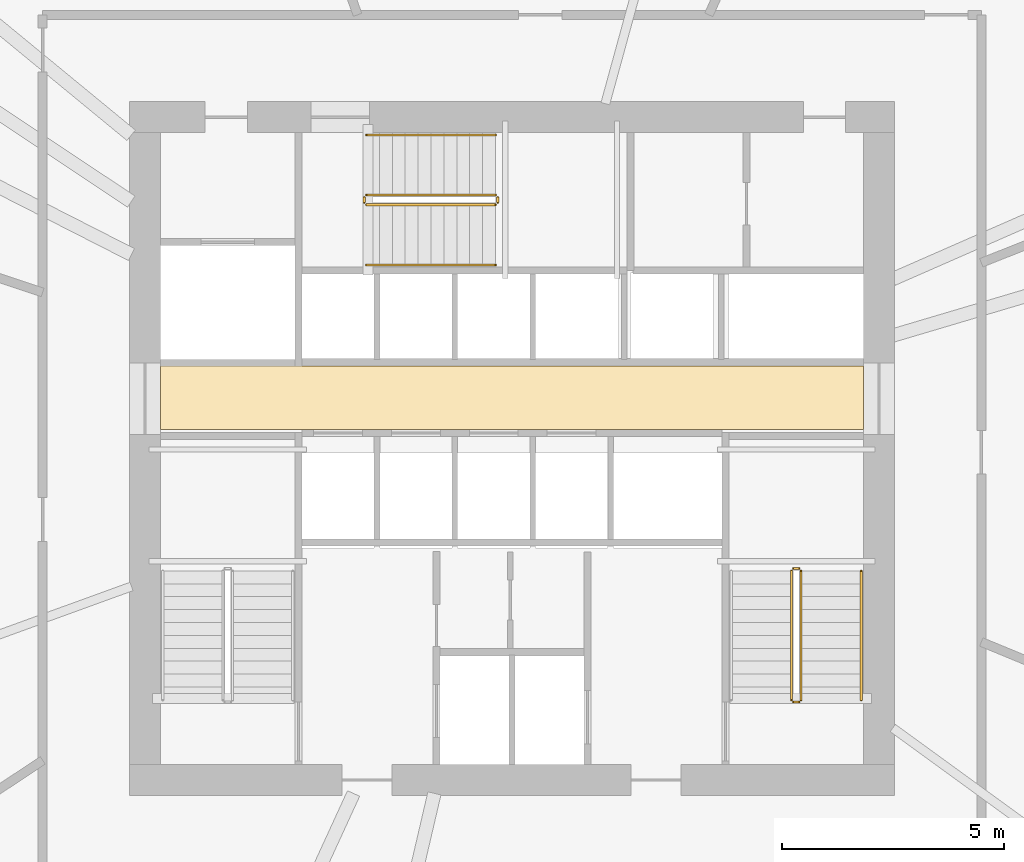
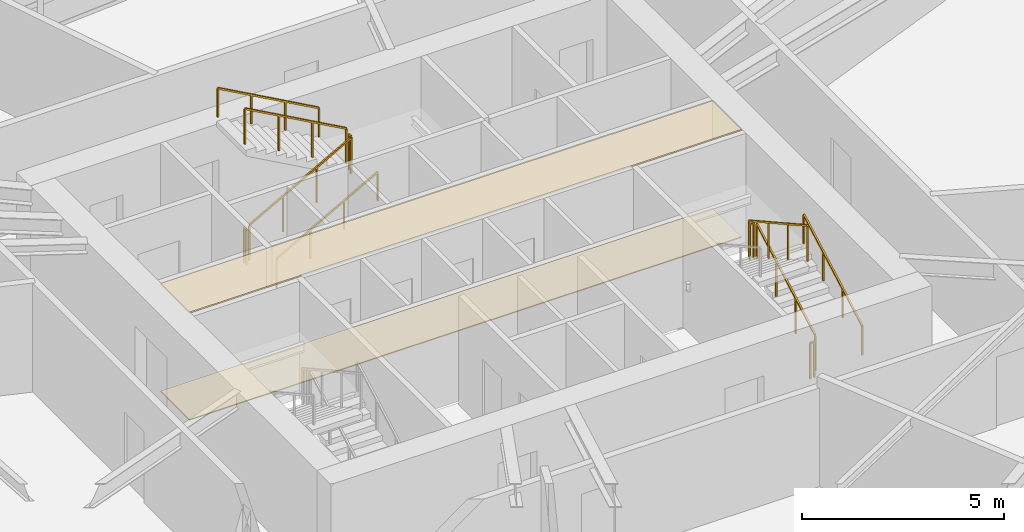
# One storey, part 17 of 18: 11 railings, 2 coverings.
"""IFC4 building model written with IfcOpenShell, lengths in metres."""

from ifc_helpers import new_model, si_unit, direction, frame, origin, origin_2d, place, context, subcontext, project, spatial, polyline, rectangle, outline, extrude, material, layer, layer_set, type_object, element, save


model = new_model("IFC4")

# Units and contexts
model_context = context("Model", 3, precision=1e-05, world=origin(), true_north=direction((0.0, 1.0)))
body_context = subcontext(model_context, "Body", "Model", "MODEL_VIEW")
ifc_project = project(units=[si_unit("LENGTHUNIT", "METRE"), si_unit("AREAUNIT", "SQUARE_METRE"), si_unit("VOLUMEUNIT", "CUBIC_METRE"), si_unit("PLANEANGLEUNIT", "RADIAN"), si_unit("MASSUNIT", "GRAM", prefix="KILO")], contexts=[model_context])

# Site, building, storey
site_placement = place(None, origin())
site = spatial("IfcSite", under=ifc_project, at=site_placement, CompositionType="ELEMENT")
building_placement = place(site_placement, origin())
building = spatial("IfcBuilding", under=site, at=building_placement, Name="Olszyna Solenne Hotel", CompositionType="ELEMENT")
storey_placement = place(building_placement, frame((0.0, 0.0, 112.800048828125)))
storey = spatial("IfcBuildingStorey", under=building, at=storey_placement, Name="L29", CompositionType="ELEMENT", Elevation=112.800048828125)

# Coverings
ifc_material_1 = material(Name="Mineral wool acoustic ceiling")
ifc_layer_1 = layer(ifc_material_1, 0.0400390625, Name="Mineral wool acoustic ceiling")
ifc_layer_set_1 = layer_set([ifc_layer_1], Name="Mineral wool acoustic ceiling")
covering_type_1 = type_object("IfcCoveringType", Name="CL-AC1", PredefinedType="CEILING", material=ifc_layer_set_1)
covering_1_placement = place(storey_placement, frame((0.0, 0.0, 3.239990234375)))
element("IfcCovering", 1, at=covering_1_placement, inside=storey, type_object=covering_type_1, Name="Lift lobby acoustic tile ceiling CL-L29-01", PredefinedType="CEILING", context=body_context, shape_type="SweptSolid", body=[
    extrude(outline(polyline([(30.10009765625, 27.030029296875), (45.89990234375, 27.030029296875), (45.89990234375, 28.4599609375), (30.10009765625, 28.4599609375), (30.10009765625, 27.030029296875)])), origin(), (0.0, 0.0, 1.0), 0.0400390625),
])
ifc_material_2 = material(Name="Ceramic floor tile")
ifc_layer_2 = layer(ifc_material_2, 0.030029296875, Name="Ceramic floor tile")
ifc_layer_set_2 = layer_set([ifc_layer_2], Name="Ceramic floor tile")
covering_type_2 = type_object("IfcCoveringType", Name="FL-TL1", PredefinedType="FLOORING", material=ifc_layer_set_2)
covering_2_placement = place(storey_placement, origin())
element("IfcCovering", 2, at=covering_2_placement, inside=storey, type_object=covering_type_2, Name="Lift lobby stoneware floor finish FLR-L29-01", PredefinedType="FLOORING", context=body_context, shape_type="SweptSolid", body=[
    extrude(outline(polyline([(30.10009765625, 27.030029296875), (45.89990234375, 27.030029296875), (45.89990234375, 28.4599609375), (30.10009765625, 28.4599609375), (30.10009765625, 27.030029296875)])), origin(), (0.0, 0.0, 1.0), 0.030029296875),
])

# Railings
ifc_material_3 = material(Name="Anodised bronze aluminium", Category="aluminium")
railing_type_1 = type_object("IfcRailingType", Name="GR-110", PredefinedType="BALUSTRADE", material=ifc_material_3)
railing_1_placement = place(storey_placement, frame((44.5, 20.949951171875, 0.161376953125)))
element("IfcRailing", 3, at=railing_1_placement, inside=storey, type_object=railing_type_1, Name="L29 ST2 stair guard 1", PredefinedType="BALUSTRADE", context=body_context, shape_type="SweptSolid", body=[
    extrude(rectangle(XDim=0.048095703125, YDim=0.048095703125, at=origin_2d()), frame((0.0, 0.0, 1.076171875), z_axis=(0.0, 0.873858693841, 0.486179990537), x_axis=(-1.0, 0.0, 0.0)), (0.0, 0.0, 1.0), 3.31884765625),
    extrude(rectangle(XDim=0.0419921875, YDim=0.0419921875, at=origin_2d()), origin(), (0.0, 0.0, 1.0), 1.052001953125),
    extrude(rectangle(XDim=0.0419921875, YDim=0.0419921875, at=origin_2d()), frame((0.0, 0.966796875, 0.537841796875)), (0.0, 0.0, 1.0), 1.052001953125),
    extrude(rectangle(XDim=0.0419921875, YDim=0.0419921875, at=origin_2d()), frame((0.0, 1.933349609375, 1.07568359375)), (0.0, 0.0, 1.0), 1.052001953125),
    extrude(rectangle(XDim=0.0419921875, YDim=0.0419921875, at=origin_2d()), frame((0.0, 2.900146484375, 1.613525390625)), (0.0, 0.0, 1.0), 1.052001953125),
])
railing_2_placement = place(storey_placement, frame((44.449951171875, 23.89990234375, 1.77490234375)))
element("IfcRailing", 4, at=railing_2_placement, inside=storey, type_object=railing_type_1, Name="L29 ST2 stair guard 2", PredefinedType="BALUSTRADE", context=body_context, shape_type="SweptSolid", body=[
    extrude(rectangle(XDim=0.048095703125, YDim=0.048095703125, at=origin_2d()), frame((0.0, 0.0, 1.076171875), z_axis=(-1.0, 0.0, 0.0), x_axis=(0.0, -1.0, 0.0)), (0.0, 0.0, 1.0), 0.119873046875),
    extrude(rectangle(XDim=0.0419921875, YDim=0.0419921875, at=origin_2d()), origin(), (0.0, 0.0, 1.0), 1.052001953125),
    extrude(rectangle(XDim=0.0419921875, YDim=0.0419921875, at=origin_2d()), frame((-0.119873046875, 0.0, 0.0)), (0.0, 0.0, 1.0), 1.052001953125),
])
railing_3_placement = place(storey_placement, frame((44.280029296875, 23.85009765625, 1.936279296875)))
element("IfcRailing", 5, at=railing_3_placement, inside=storey, type_object=railing_type_1, Name="L29 ST2 stair guard 3", PredefinedType="BALUSTRADE", context=body_context, shape_type="SweptSolid", body=[
    extrude(rectangle(XDim=0.048095703125, YDim=0.048095703125, at=origin_2d()), frame((0.0, 0.0, 1.076171875), z_axis=(0.0, -0.873827439584, 0.48623616261), x_axis=(1.0, 0.0, 0.0)), (0.0, 0.0, 1.0), 3.31884765625),
    extrude(rectangle(XDim=0.0419921875, YDim=0.0419921875, at=origin_2d()), origin(), (0.0, 0.0, 1.0), 1.052001953125),
    extrude(rectangle(XDim=0.0419921875, YDim=0.0419921875, at=origin_2d()), frame((0.0, -0.966796875, 0.537841796875)), (0.0, 0.0, 1.0), 1.052001953125),
    extrude(rectangle(XDim=0.0419921875, YDim=0.0419921875, at=origin_2d()), frame((0.0, -1.933349609375, 1.075927734375)), (0.0, 0.0, 1.0), 1.052001953125),
    extrude(rectangle(XDim=0.0419921875, YDim=0.0419921875, at=origin_2d()), frame((0.0, -2.900146484375, 1.61376953125)), (0.0, 0.0, 1.0), 1.052001953125),
])
railing_4_placement = place(storey_placement, frame((44.449951171875, 20.89990234375, 0.0)))
element("IfcRailing", 6, at=railing_4_placement, inside=storey, type_object=railing_type_1, Name="L29 ST2 stair guard 4", PredefinedType="BALUSTRADE", context=body_context, shape_type="SweptSolid", body=[
    extrude(rectangle(XDim=0.048095703125, YDim=0.048095703125, at=origin_2d()), frame((0.0, 0.0, 1.076171875), z_axis=(-1.0, 0.0, 0.0), x_axis=(0.0, -1.0, 0.0)), (0.0, 0.0, 1.0), 0.119873046875),
    extrude(rectangle(XDim=0.0419921875, YDim=0.0419921875, at=origin_2d()), origin(), (0.0, 0.0, 1.0), 1.052001953125),
    extrude(rectangle(XDim=0.0419921875, YDim=0.0419921875, at=origin_2d()), frame((-0.119873046875, 0.0, 0.0)), (0.0, 0.0, 1.0), 1.052001953125),
])
railing_5_placement = place(storey_placement, frame((34.72998046875, 32.080078125, 0.161376953125)))
element("IfcRailing", 7, at=railing_5_placement, inside=storey, type_object=railing_type_1, Name="L29 ST3 stair guard 1", PredefinedType="BALUSTRADE", context=body_context, shape_type="SweptSolid", body=[
    extrude(rectangle(XDim=0.048095703125, YDim=0.048095703125, at=origin_2d()), frame((0.0, 0.0, 1.076171875), z_axis=(0.873841303929, 0.0, 0.486211245805), x_axis=(0.0, 1.0, 0.0)), (0.0, 0.0, 1.0), 3.318603515625),
    extrude(rectangle(XDim=0.0419921875, YDim=0.0419921875, at=origin_2d()), origin(), (0.0, 0.0, 1.0), 1.052001953125),
    extrude(rectangle(XDim=0.0419921875, YDim=0.0419921875, at=origin_2d()), frame((0.966552734375, 0.0, 0.537841796875)), (0.0, 0.0, 1.0), 1.052001953125),
    extrude(rectangle(XDim=0.0419921875, YDim=0.0419921875, at=origin_2d()), frame((1.933349609375, 0.0, 1.07568359375)), (0.0, 0.0, 1.0), 1.052001953125),
    extrude(rectangle(XDim=0.0419921875, YDim=0.0419921875, at=origin_2d()), frame((2.89990234375, 0.0, 1.613525390625)), (0.0, 0.0, 1.0), 1.052001953125),
])
railing_6_placement = place(storey_placement, frame((37.679931640625, 32.1298828125, 1.77490234375)))
element("IfcRailing", 8, at=railing_6_placement, inside=storey, type_object=railing_type_1, Name="L29 ST3 stair guard 2", PredefinedType="BALUSTRADE", context=body_context, shape_type="SweptSolid", body=[
    extrude(rectangle(XDim=0.048095703125, YDim=0.048095703125, at=origin_2d()), frame((0.0, 0.0, 1.076171875), z_axis=(0.0, 1.0, 0.0), x_axis=(-1.0, 0.0, 0.0)), (0.0, 0.0, 1.0), 0.1201171875),
    extrude(rectangle(XDim=0.0419921875, YDim=0.0419921875, at=origin_2d()), origin(), (0.0, 0.0, 1.0), 1.052001953125),
    extrude(rectangle(XDim=0.0419921875, YDim=0.0419921875, at=origin_2d()), frame((0.0, 0.1201171875, 0.0)), (0.0, 0.0, 1.0), 1.052001953125),
])
railing_7_placement = place(storey_placement, frame((37.6298828125, 32.300048828125, 1.936279296875)))
element("IfcRailing", 9, at=railing_7_placement, inside=storey, type_object=railing_type_1, Name="L29 ST3 stair guard 3", PredefinedType="BALUSTRADE", context=body_context, shape_type="SweptSolid", body=[
    extrude(rectangle(XDim=0.048095703125, YDim=0.048095703125, at=origin_2d()), frame((0.0, 0.0, 1.076171875), z_axis=(-0.873810046276, 0.0, 0.486267419253), x_axis=(0.0, -1.0, 0.0)), (0.0, 0.0, 1.0), 3.318603515625),
    extrude(rectangle(XDim=0.0419921875, YDim=0.0419921875, at=origin_2d()), origin(), (0.0, 0.0, 1.0), 1.052001953125),
    extrude(rectangle(XDim=0.0419921875, YDim=0.0419921875, at=origin_2d()), frame((-0.966552734375, 0.0, 0.537841796875)), (0.0, 0.0, 1.0), 1.052001953125),
    extrude(rectangle(XDim=0.0419921875, YDim=0.0419921875, at=origin_2d()), frame((-1.933349609375, 0.0, 1.075927734375)), (0.0, 0.0, 1.0), 1.052001953125),
    extrude(rectangle(XDim=0.0419921875, YDim=0.0419921875, at=origin_2d()), frame((-2.89990234375, 0.0, 1.61376953125)), (0.0, 0.0, 1.0), 1.052001953125),
])
railing_8_placement = place(storey_placement, frame((34.679931640625, 32.1298828125, 0.0)))
element("IfcRailing", 10, at=railing_8_placement, inside=storey, type_object=railing_type_1, Name="L29 ST3 stair guard 4", PredefinedType="BALUSTRADE", context=body_context, shape_type="SweptSolid", body=[
    extrude(rectangle(XDim=0.048095703125, YDim=0.048095703125, at=origin_2d()), frame((0.0, 0.0, 1.076171875), z_axis=(0.0, 1.0, 0.0), x_axis=(-1.0, 0.0, 0.0)), (0.0, 0.0, 1.0), 0.1201171875),
    extrude(rectangle(XDim=0.0419921875, YDim=0.0419921875, at=origin_2d()), origin(), (0.0, 0.0, 1.0), 1.052001953125),
    extrude(rectangle(XDim=0.0419921875, YDim=0.0419921875, at=origin_2d()), frame((0.0, 0.1201171875, 0.0)), (0.0, 0.0, 1.0), 1.052001953125),
])
ifc_material_4 = material(Name="Steel S355J2", Category="steel")
railing_type_2 = type_object("IfcRailingType", Name="HR-090", PredefinedType="HANDRAIL", material=ifc_material_4)
railing_9_placement = place(storey_placement, frame((45.85009765625, 20.949951171875, 0.161376953125)))
element("IfcRailing", 11, at=railing_9_placement, inside=storey, type_object=railing_type_2, Name="L29 ST2 stair handrail 1", PredefinedType="HANDRAIL", context=body_context, shape_type="SweptSolid", body=[
    extrude(rectangle(XDim=0.048095703125, YDim=0.048095703125, at=origin_2d()), frame((0.0, 0.0, 0.8759765625), z_axis=(0.0, 0.873858693841, 0.486179990537), x_axis=(-1.0, 0.0, 0.0)), (0.0, 0.0, 1.0), 3.31884765625),
    extrude(rectangle(XDim=0.0419921875, YDim=0.0419921875, at=origin_2d()), origin(), (0.0, 0.0, 1.0), 0.851806640625),
    extrude(rectangle(XDim=0.0419921875, YDim=0.0419921875, at=origin_2d()), frame((0.0, 0.966796875, 0.537841796875)), (0.0, 0.0, 1.0), 0.851806640625),
    extrude(rectangle(XDim=0.0419921875, YDim=0.0419921875, at=origin_2d()), frame((0.0, 1.933349609375, 1.07568359375)), (0.0, 0.0, 1.0), 0.851806640625),
    extrude(rectangle(XDim=0.0419921875, YDim=0.0419921875, at=origin_2d()), frame((0.0, 2.900146484375, 1.613525390625)), (0.0, 0.0, 1.0), 0.851806640625),
])
railing_10_placement = place(storey_placement, frame((34.72998046875, 30.72998046875, 0.161376953125)))
element("IfcRailing", 12, at=railing_10_placement, inside=storey, type_object=railing_type_2, Name="L29 ST3 stair handrail 1", PredefinedType="HANDRAIL", context=body_context, shape_type="SweptSolid", body=[
    extrude(rectangle(XDim=0.048095703125, YDim=0.048095703125, at=origin_2d()), frame((0.0, 0.0, 0.8759765625), z_axis=(0.873841303929, 0.0, 0.486211245805), x_axis=(0.0, 1.0, 0.0)), (0.0, 0.0, 1.0), 3.318603515625),
    extrude(rectangle(XDim=0.0419921875, YDim=0.0419921875, at=origin_2d()), origin(), (0.0, 0.0, 1.0), 0.851806640625),
    extrude(rectangle(XDim=0.0419921875, YDim=0.0419921875, at=origin_2d()), frame((0.966552734375, 0.0, 0.537841796875)), (0.0, 0.0, 1.0), 0.851806640625),
    extrude(rectangle(XDim=0.0419921875, YDim=0.0419921875, at=origin_2d()), frame((1.933349609375, 0.0, 1.07568359375)), (0.0, 0.0, 1.0), 0.851806640625),
    extrude(rectangle(XDim=0.0419921875, YDim=0.0419921875, at=origin_2d()), frame((2.89990234375, 0.0, 1.613525390625)), (0.0, 0.0, 1.0), 0.851806640625),
])
railing_11_placement = place(storey_placement, frame((37.6298828125, 33.64990234375, 1.936279296875)))
element("IfcRailing", 13, at=railing_11_placement, inside=storey, type_object=railing_type_2, Name="L29 ST3 stair handrail 2", PredefinedType="HANDRAIL", context=body_context, shape_type="SweptSolid", body=[
    extrude(rectangle(XDim=0.048095703125, YDim=0.048095703125, at=origin_2d()), frame((0.0, 0.0, 0.8759765625), z_axis=(-0.873810046276, 0.0, 0.486267419253), x_axis=(0.0, -1.0, 0.0)), (0.0, 0.0, 1.0), 3.318603515625),
    extrude(rectangle(XDim=0.0419921875, YDim=0.0419921875, at=origin_2d()), origin(), (0.0, 0.0, 1.0), 0.851806640625),
    extrude(rectangle(XDim=0.0419921875, YDim=0.0419921875, at=origin_2d()), frame((-0.966552734375, 0.0, 0.537841796875)), (0.0, 0.0, 1.0), 0.851806640625),
    extrude(rectangle(XDim=0.0419921875, YDim=0.0419921875, at=origin_2d()), frame((-1.933349609375, 0.0, 1.075927734375)), (0.0, 0.0, 1.0), 0.851806640625),
    extrude(rectangle(XDim=0.0419921875, YDim=0.0419921875, at=origin_2d()), frame((-2.89990234375, 0.0, 1.61376953125)), (0.0, 0.0, 1.0), 0.851806640625),
])

save(model, "model.ifc")
